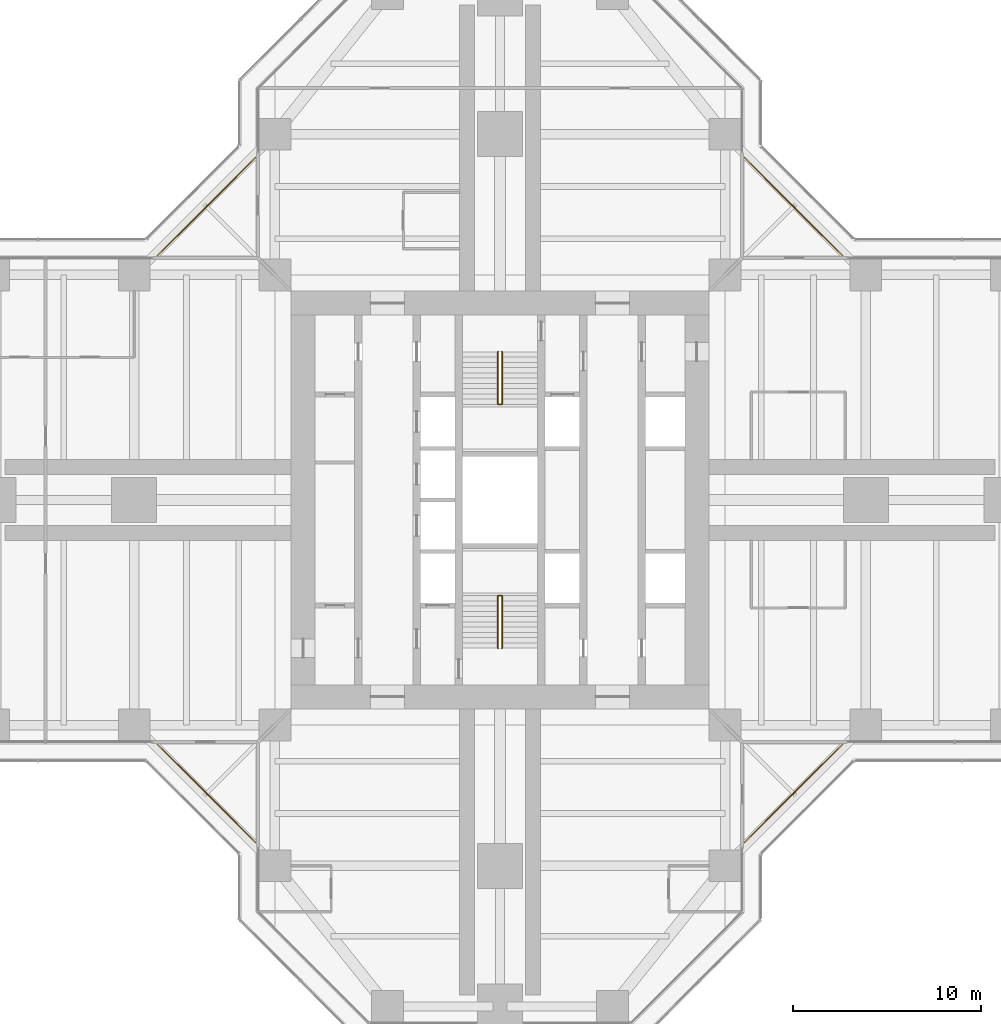
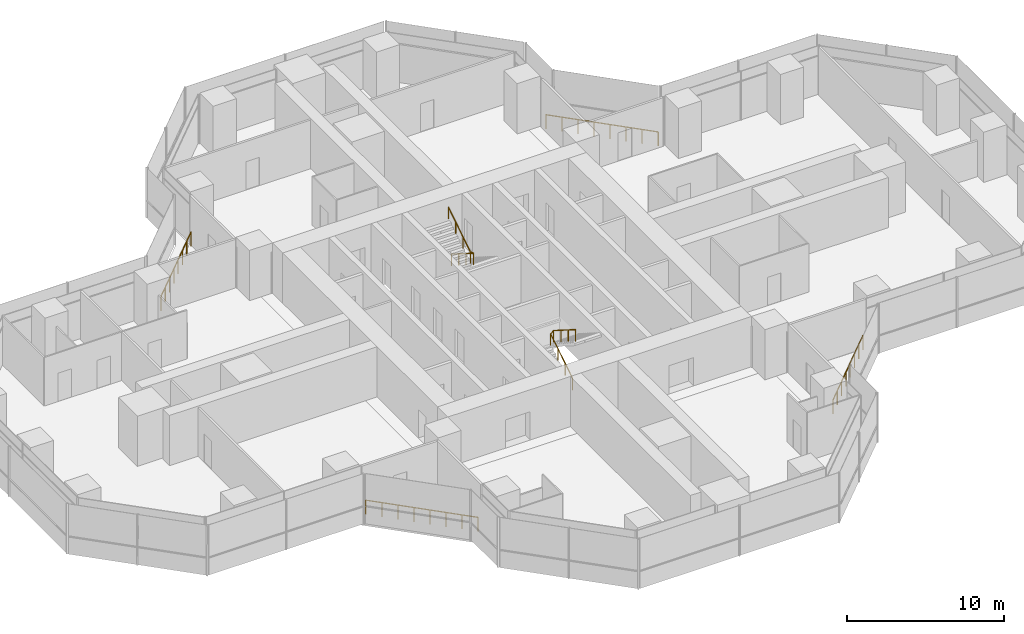
# One storey, part 19 of 19: 6 railings.
"""IFC4 building model written with IfcOpenShell, lengths in metres."""

import ifcopenshell
import ifcopenshell.guid

model = None  # the IFC model being written
_history = None  # IfcOwnerHistory: only IFC2X3 demands one
_inside = {}  # id of a spatial element -> (the spatial element, [elements in it])
_under = {}  # id of a project, library or spatial element -> (it, [spatial elements below it])
_declared = {}  # id of a project -> (the project, [libraries it declares])
_typed = {}  # id of a type object -> (the type object, [elements of that type])
_made_of = {}  # id of a material, layer set ... -> (it, [elements and type objects made of it])


def new_model(schema):
    """Start an empty IFC model of exactly this schema.

    Asked for "IFC4X3", IfcOpenShell would pick the latest addendum, in which some entities
    have other attributes; the version numbers below select the first issue.
    IFC2X3 requires an IfcOwnerHistory on every rooted entity: one is made here for all.
    """
    global model, _history
    if schema == "IFC4X3":
        model = ifcopenshell.file(schema_version=(4, 3, 0, 0))
    else:
        model = ifcopenshell.file(schema=schema)
    _inside.clear()
    _under.clear()
    _declared.clear()
    _typed.clear()
    _made_of.clear()
    _history = None
    if model.schema == "IFC2X3":
        org = make("IfcOrganization", Name="unknown")
        user = make(
            "IfcPersonAndOrganization",
            ThePerson=make("IfcPerson", FamilyName="unknown"),
            TheOrganization=org,
        )
        app = make(
            "IfcApplication",
            ApplicationDeveloper=org,
            Version="unknown",
            ApplicationFullName="unknown",
            ApplicationIdentifier="unknown",
        )
        _history = make(
            "IfcOwnerHistory",
            OwningUser=user,
            OwningApplication=app,
            ChangeAction="ADDED",
            CreationDate=0,
        )
    return model


def make(cls, **values):
    """One entity of the class cls with the attributes given. An attribute that is None is left unset."""
    return model.create_entity(
        cls, **{name: value for name, value in values.items() if value is not None}
    )


def rooted(cls, **values):
    """An entity with a GlobalId (a new one), such as an element, a storey or a relation."""
    return make(cls, GlobalId=ifcopenshell.guid.new(), OwnerHistory=_history, **values)


def si_unit(unit_type, name, prefix=None):
    """IfcSIUnit, for example si_unit("LENGTHUNIT", "METRE", prefix="MILLI")."""
    return make("IfcSIUnit", UnitType=unit_type, Prefix=prefix, Name=name)


def assignment(units):
    """IfcUnitAssignment: the units of a project."""
    return None if units is None else make("IfcUnitAssignment", Units=units)


def point(xyz):
    """IfcCartesianPoint."""
    return None if xyz is None else make("IfcCartesianPoint", Coordinates=xyz)


def direction(xyz):
    """IfcDirection."""
    return None if xyz is None else make("IfcDirection", DirectionRatios=xyz)


def frame(location, z_axis=None, x_axis=None):
    """IfcAxis2Placement3D, a coordinate frame: its origin and axes. An axis left out is left unset."""
    return make(
        "IfcAxis2Placement3D",
        Location=point(location),
        Axis=direction(z_axis),
        RefDirection=direction(x_axis),
    )


def frame_2d(location, x_axis=None):
    """IfcAxis2Placement2D, a coordinate frame in the plane: its origin and x axis."""
    return make(
        "IfcAxis2Placement2D", Location=point(location), RefDirection=direction(x_axis)
    )


def origin():
    """The frame at (0, 0, 0) with its axes left unset."""
    return frame((0.0, 0.0, 0.0))


def origin_2d():
    """The frame at (0, 0) in the plane with its x axis left unset."""
    return frame_2d((0.0, 0.0))


def place(relative_to, where):
    """IfcLocalPlacement: puts the frame where relative to a parent placement (None: the world)."""
    return make(
        "IfcLocalPlacement", PlacementRelTo=relative_to, RelativePlacement=where
    )


def context(
    kind, dimensions, precision=None, world=None, true_north=None, identifier=None
):
    """IfcGeometricRepresentationContext, for example the 3D "Model" context."""
    return make(
        "IfcGeometricRepresentationContext",
        ContextIdentifier=identifier,
        ContextType=kind,
        CoordinateSpaceDimension=dimensions,
        Precision=precision,
        WorldCoordinateSystem=world,
        TrueNorth=true_north,
    )


def subcontext(parent, identifier, kind, view, scale=None):
    """IfcGeometricRepresentationSubContext, for example "Body" below "Model"."""
    return make(
        "IfcGeometricRepresentationSubContext",
        ContextIdentifier=identifier,
        ContextType=kind,
        ParentContext=parent,
        TargetScale=scale,
        TargetView=view,
    )


def project(units=None, contexts=None):
    """IfcProject with its units and contexts."""
    return rooted(
        "IfcProject",
        Name="project",
        RepresentationContexts=contexts,
        UnitsInContext=assignment(units),
    )


def spatial(cls, under=None, at=None, **own):
    """A site, building, storey or space (cls), placed at a placement, below another one or the project."""
    s = rooted(cls, ObjectPlacement=at, **own)
    if under is not None:
        _under.setdefault(under.id(), (under, []))[1].append(s)
    return s


def profile(cls, at=None, kind="AREA", **sizes):
    """A parametric profile (cls). Its sizes go by their IFC names, for example OverallWidth=200.0."""
    return make(cls, ProfileType=kind, Position=at, **sizes)


def circle(**sizes):
    """IfcCircleProfileDef."""
    return profile("IfcCircleProfileDef", **sizes)


def extrude(swept, where, along, depth):
    """IfcExtrudedAreaSolid: the profile swept, set in the frame where, extruded along a direction by depth."""
    return make(
        "IfcExtrudedAreaSolid",
        SweptArea=swept,
        Position=where,
        ExtrudedDirection=direction(along),
        Depth=depth,
    )


def shape(context_of_items, identifier, shape_type, items):
    """IfcShapeRepresentation: the items that make up one representation, for example the "Body"."""
    return make(
        "IfcShapeRepresentation",
        ContextOfItems=context_of_items,
        RepresentationIdentifier=identifier,
        RepresentationType=shape_type,
        Items=items,
    )


def material(Name=None, Category=None):
    """IfcMaterial."""
    return make("IfcMaterial", Name=Name, Category=Category)


def made_of(thing, what):
    """Note that an element or type object is made of a material, layer set ...; save() writes the relation."""
    if what is not None:
        _made_of.setdefault(what.id(), (what, []))[1].append(thing)
    return thing


def type_object(cls, material=None, **own):
    """A type object (cls), such as IfcWallType, which elements share."""
    return made_of(rooted(cls, **own), material)


def element(
    cls,
    number,
    at=None,
    inside=None,
    cuts=None,
    type_object=None,
    material=None,
    context=None,
    identifier="Body",
    shape_type=None,
    held_by="IfcProductDefinitionShape",
    body=None,
    shapes=None,
    **own,
):
    """One element of the class cls, such as IfcWall. Its Tag is "e" and its number.

    at: its placement. inside: the storey or other place that contains it. cuts: it is an
    opening in that element (IfcRelVoidsElement). A single representation is given by context,
    identifier, shape_type and body (its items); several are given by shapes. held_by: the class
    of the entity that holds the representations. save() writes the other relations.
    """
    e = rooted(cls, Tag="e%d" % number, ObjectPlacement=at, **own)
    if body is not None:
        shapes = [shape(context, identifier, shape_type, body)]
    if shapes is not None:
        e.Representation = make(held_by, Representations=shapes)
    if inside is not None:
        _inside.setdefault(inside.id(), (inside, []))[1].append(e)
    if cuts is not None:
        rooted(
            "IfcRelVoidsElement", RelatingBuildingElement=cuts, RelatedOpeningElement=e
        )
    if type_object is not None:
        _typed.setdefault(type_object.id(), (type_object, []))[1].append(e)
    return made_of(e, material)


def aggregate(whole, parts):
    """IfcRelAggregates: a whole, such as a stair, and the parts it consists of."""
    return rooted("IfcRelAggregates", RelatingObject=whole, RelatedObjects=parts)


def save(model, path):
    """Write the relations noted so far, then the file.

    IfcRelAggregates (storeys below a building ...), IfcRelContainedInSpatialStructure (elements
    in a storey), IfcRelDefinesByType, IfcRelAssociatesMaterial and IfcRelDeclares: one each for
    every whole, place, type object, material and project.
    """
    for whole, parts in _under.values():
        aggregate(whole, parts)
    for where, things in _inside.values():
        rooted(
            "IfcRelContainedInSpatialStructure",
            RelatedElements=things,
            RelatingStructure=where,
        )
    for kind, things in _typed.values():
        rooted("IfcRelDefinesByType", RelatedObjects=things, RelatingType=kind)
    for what, things in _made_of.values():
        rooted("IfcRelAssociatesMaterial", RelatedObjects=things, RelatingMaterial=what)
    for by, libraries in _declared.values():
        rooted("IfcRelDeclares", RelatingContext=by, RelatedDefinitions=libraries)
    model.write(path)


model = new_model("IFC4")

# Units and contexts
model_context = context("Model", 3, precision=1e-05, world=origin(), true_north=direction((0.0, 1.0)))
body_context = subcontext(model_context, "Body", "Model", "MODEL_VIEW")
ifc_project = project(units=[si_unit("LENGTHUNIT", "METRE"), si_unit("AREAUNIT", "SQUARE_METRE"), si_unit("VOLUMEUNIT", "CUBIC_METRE"), si_unit("PLANEANGLEUNIT", "RADIAN"), si_unit("MASSUNIT", "GRAM", prefix="KILO")], contexts=[model_context])

# Site, building, storey
site_placement = place(None, origin())
site = spatial("IfcSite", under=ifc_project, at=site_placement, CompositionType="ELEMENT")
building_placement = place(site_placement, origin())
building = spatial("IfcBuilding", under=site, at=building_placement, Name="Mizan Broadcast Tower", CompositionType="ELEMENT")
storey_placement = place(building_placement, frame((0.0, 0.0, 159.300048828125)))
storey = spatial("IfcBuildingStorey", under=building, at=storey_placement, Name="L36", CompositionType="ELEMENT", Elevation=159.300048828125)

# Railings
ifc_material_1 = material(Name="Stainless steel and glass guard", Category="steel")
railing_type_1 = type_object("IfcRailingType", Name="GUARD 1100", PredefinedType="GUARDRAIL", material=ifc_material_1)
railing_1_placement = place(storey_placement, frame((18.2578125, 13.030029296875, 0.0)))
element("IfcRailing", 1, at=railing_1_placement, inside=storey, type_object=railing_type_1, Name="Winter garden guard L36 E", PredefinedType="GUARDRAIL", context=body_context, shape_type="SweptSolid", body=[
    extrude(circle(Radius=0.02392578125, at=origin_2d()), frame((0.0, 0.0, 1.076171875), z_axis=(-0.707106781187, 0.707106781187, 0.0), x_axis=(-0.707106781187, -0.707106781187, 0.0)), (0.0, 0.0, 1.0), 7.393310546875),
    extrude(circle(Radius=0.02099609375, at=origin_2d()), origin(), (0.0, 0.0, 1.0), 1.052001953125),
    extrude(circle(Radius=0.02099609375, at=origin_2d()), frame((-0.746826171875, 0.746826171875, 0.0)), (0.0, 0.0, 1.0), 1.052001953125),
    extrude(circle(Radius=0.02099609375, at=origin_2d()), frame((-1.49365234375, 1.49365234375, 0.0)), (0.0, 0.0, 1.0), 1.052001953125),
    extrude(circle(Radius=0.02099609375, at=origin_2d()), frame((-2.240478515625, 2.240478515625, 0.0)), (0.0, 0.0, 1.0), 1.052001953125),
    extrude(circle(Radius=0.02099609375, at=origin_2d()), frame((-2.9873046875, 2.9873046875, 0.0)), (0.0, 0.0, 1.0), 1.052001953125),
    extrude(circle(Radius=0.02099609375, at=origin_2d()), frame((-3.734130859375, 3.734130859375, 0.0)), (0.0, 0.0, 1.0), 1.052001953125),
    extrude(circle(Radius=0.02099609375, at=origin_2d()), frame((-4.48095703125, 4.48095703125, 0.0)), (0.0, 0.0, 1.0), 1.052001953125),
    extrude(circle(Radius=0.02099609375, at=origin_2d()), frame((-5.227783203125, 5.227783203125, 0.0)), (0.0, 0.0, 1.0), 1.052001953125),
])
railing_2_placement = place(storey_placement, frame((-13.030029296875, 18.2578125, 0.0)))
element("IfcRailing", 2, at=railing_2_placement, inside=storey, type_object=railing_type_1, Name="Winter garden guard L36 N", PredefinedType="GUARDRAIL", context=body_context, shape_type="SweptSolid", body=[
    extrude(circle(Radius=0.02392578125, at=origin_2d()), frame((0.0, 0.0, 1.076171875), z_axis=(-0.707106781187, -0.707106781187, 0.0), x_axis=(0.707106781187, -0.707106781187, 0.0)), (0.0, 0.0, 1.0), 7.393310546875),
    extrude(circle(Radius=0.02099609375, at=origin_2d()), origin(), (0.0, 0.0, 1.0), 1.052001953125),
    extrude(circle(Radius=0.02099609375, at=origin_2d()), frame((-0.746826171875, -0.746826171875, 0.0)), (0.0, 0.0, 1.0), 1.052001953125),
    extrude(circle(Radius=0.02099609375, at=origin_2d()), frame((-1.49365234375, -1.49365234375, 0.0)), (0.0, 0.0, 1.0), 1.052001953125),
    extrude(circle(Radius=0.02099609375, at=origin_2d()), frame((-2.240478515625, -2.240478515625, 0.0)), (0.0, 0.0, 1.0), 1.052001953125),
    extrude(circle(Radius=0.02099609375, at=origin_2d()), frame((-2.9873046875, -2.9873046875, 0.0)), (0.0, 0.0, 1.0), 1.052001953125),
    extrude(circle(Radius=0.02099609375, at=origin_2d()), frame((-3.734130859375, -3.734130859375, 0.0)), (0.0, 0.0, 1.0), 1.052001953125),
    extrude(circle(Radius=0.02099609375, at=origin_2d()), frame((-4.48095703125, -4.48095703125, 0.0)), (0.0, 0.0, 1.0), 1.052001953125),
    extrude(circle(Radius=0.02099609375, at=origin_2d()), frame((-5.227783203125, -5.227783203125, 0.0)), (0.0, 0.0, 1.0), 1.052001953125),
])
railing_3_placement = place(storey_placement, frame((-18.2578125, -13.030029296875, 0.0)))
element("IfcRailing", 3, at=railing_3_placement, inside=storey, type_object=railing_type_1, Name="Winter garden guard L36 W", PredefinedType="GUARDRAIL", context=body_context, shape_type="SweptSolid", body=[
    extrude(circle(Radius=0.02392578125, at=origin_2d()), frame((0.0, 0.0, 1.076171875), z_axis=(0.707106781187, -0.707106781187, 0.0), x_axis=(0.707106781187, 0.707106781187, 0.0)), (0.0, 0.0, 1.0), 7.393310546875),
    extrude(circle(Radius=0.02099609375, at=origin_2d()), origin(), (0.0, 0.0, 1.0), 1.052001953125),
    extrude(circle(Radius=0.02099609375, at=origin_2d()), frame((0.746826171875, -0.746826171875, 0.0)), (0.0, 0.0, 1.0), 1.052001953125),
    extrude(circle(Radius=0.02099609375, at=origin_2d()), frame((1.49365234375, -1.49365234375, 0.0)), (0.0, 0.0, 1.0), 1.052001953125),
    extrude(circle(Radius=0.02099609375, at=origin_2d()), frame((2.240478515625, -2.240478515625, 0.0)), (0.0, 0.0, 1.0), 1.052001953125),
    extrude(circle(Radius=0.02099609375, at=origin_2d()), frame((2.9873046875, -2.9873046875, 0.0)), (0.0, 0.0, 1.0), 1.052001953125),
    extrude(circle(Radius=0.02099609375, at=origin_2d()), frame((3.734130859375, -3.734130859375, 0.0)), (0.0, 0.0, 1.0), 1.052001953125),
    extrude(circle(Radius=0.02099609375, at=origin_2d()), frame((4.48095703125, -4.48095703125, 0.0)), (0.0, 0.0, 1.0), 1.052001953125),
    extrude(circle(Radius=0.02099609375, at=origin_2d()), frame((5.227783203125, -5.227783203125, 0.0)), (0.0, 0.0, 1.0), 1.052001953125),
])
railing_4_placement = place(storey_placement, frame((13.030029296875, -18.2578125, 0.0)))
element("IfcRailing", 4, at=railing_4_placement, inside=storey, type_object=railing_type_1, Name="Winter garden guard L36 S", PredefinedType="GUARDRAIL", context=body_context, shape_type="SweptSolid", body=[
    extrude(circle(Radius=0.02392578125, at=origin_2d()), frame((0.0, 0.0, 1.076171875), z_axis=(0.707106781187, 0.707106781187, 0.0), x_axis=(-0.707106781187, 0.707106781187, 0.0)), (0.0, 0.0, 1.0), 7.393310546875),
    extrude(circle(Radius=0.02099609375, at=origin_2d()), origin(), (0.0, 0.0, 1.0), 1.052001953125),
    extrude(circle(Radius=0.02099609375, at=origin_2d()), frame((0.746826171875, 0.746826171875, 0.0)), (0.0, 0.0, 1.0), 1.052001953125),
    extrude(circle(Radius=0.02099609375, at=origin_2d()), frame((1.49365234375, 1.49365234375, 0.0)), (0.0, 0.0, 1.0), 1.052001953125),
    extrude(circle(Radius=0.02099609375, at=origin_2d()), frame((2.240478515625, 2.240478515625, 0.0)), (0.0, 0.0, 1.0), 1.052001953125),
    extrude(circle(Radius=0.02099609375, at=origin_2d()), frame((2.9873046875, 2.9873046875, 0.0)), (0.0, 0.0, 1.0), 1.052001953125),
    extrude(circle(Radius=0.02099609375, at=origin_2d()), frame((3.734130859375, 3.734130859375, 0.0)), (0.0, 0.0, 1.0), 1.052001953125),
    extrude(circle(Radius=0.02099609375, at=origin_2d()), frame((4.48095703125, 4.48095703125, 0.0)), (0.0, 0.0, 1.0), 1.052001953125),
    extrude(circle(Radius=0.02099609375, at=origin_2d()), frame((5.227783203125, 5.227783203125, 0.0)), (0.0, 0.0, 1.0), 1.052001953125),
])
ifc_material_2 = material(Name="Stainless steel", Category="steel")
railing_type_2 = type_object("IfcRailingType", Name="HANDRAIL 50", PredefinedType="HANDRAIL", material=ifc_material_2)
railing_5_placement = place(storey_placement, frame((-0.110107421875, -7.89990234375, 0.17724609375)))
element("IfcRailing", 5, at=railing_5_placement, inside=storey, type_object=railing_type_2, Name="Stair A handrail", PredefinedType="HANDRAIL", context=body_context, shape_type="SweptSolid", body=[
    extrude(circle(Radius=0.02392578125, at=origin_2d()), frame((0.0, 0.0, 0.8759765625), z_axis=(0.0, 0.844887892834, 0.53494340686), x_axis=(-1.0, 0.0, 0.0)), (0.0, 0.0, 1.0), 3.313720703125),
    extrude(circle(Radius=0.02392578125, at=origin_2d()), frame((0.0, 2.7998046875, 2.6484375), z_axis=(0.779011685263, 0.0, 0.627009405212), x_axis=(0.0, 1.0, 0.0)), (0.0, 0.0, 1.0), 0.28271484375),
    extrude(circle(Radius=0.02392578125, at=origin_2d()), frame((0.22021484375, 2.7998046875, 2.82568359375), z_axis=(0.0, -0.844887892834, 0.53494340686), x_axis=(1.0, 0.0, 0.0)), (0.0, 0.0, 1.0), 3.313720703125),
    extrude(circle(Radius=0.02099609375, at=origin_2d()), origin(), (0.0, 0.0, 1.0), 0.851806640625),
    extrude(circle(Radius=0.02099609375, at=origin_2d()), frame((0.0, 0.933349609375, 0.5908203125)), (0.0, 0.0, 1.0), 0.851806640625),
    extrude(circle(Radius=0.02099609375, at=origin_2d()), frame((0.0, 1.866455078125, 1.181884765625)), (0.0, 0.0, 1.0), 0.851806640625),
    extrude(circle(Radius=0.02099609375, at=origin_2d()), frame((0.0, 2.7998046875, 1.772705078125)), (0.0, 0.0, 1.0), 0.851806640625),
    extrude(circle(Radius=0.02099609375, at=origin_2d()), frame((0.22021484375, 2.7998046875, 1.949951171875)), (0.0, 0.0, 1.0), 0.851806640625),
    extrude(circle(Radius=0.02099609375, at=origin_2d()), frame((0.22021484375, 1.866455078125, 2.540771484375)), (0.0, 0.0, 1.0), 0.851806640625),
    extrude(circle(Radius=0.02099609375, at=origin_2d()), frame((0.22021484375, 0.933349609375, 3.1318359375)), (0.0, 0.0, 1.0), 0.851806640625),
    extrude(circle(Radius=0.02099609375, at=origin_2d()), frame((0.22021484375, 0.0, 3.72265625)), (0.0, 0.0, 1.0), 0.851806640625),
])
railing_6_placement = place(storey_placement, frame((0.110107421875, 7.89990234375, 0.17724609375)))
element("IfcRailing", 6, at=railing_6_placement, inside=storey, type_object=railing_type_2, Name="Stair B handrail", PredefinedType="HANDRAIL", context=body_context, shape_type="SweptSolid", body=[
    extrude(circle(Radius=0.02392578125, at=origin_2d()), frame((0.0, 0.0, 0.8759765625), z_axis=(0.0, -0.844887892834, 0.53494340686), x_axis=(1.0, 0.0, 0.0)), (0.0, 0.0, 1.0), 3.313720703125),
    extrude(circle(Radius=0.02392578125, at=origin_2d()), frame((0.0, -2.7998046875, 2.6484375), z_axis=(-0.779011685263, 0.0, 0.627009405212), x_axis=(0.0, -1.0, 0.0)), (0.0, 0.0, 1.0), 0.28271484375),
    extrude(circle(Radius=0.02392578125, at=origin_2d()), frame((-0.22021484375, -2.7998046875, 2.82568359375), z_axis=(0.0, 0.844887892834, 0.53494340686), x_axis=(-1.0, 0.0, 0.0)), (0.0, 0.0, 1.0), 3.313720703125),
    extrude(circle(Radius=0.02099609375, at=origin_2d()), origin(), (0.0, 0.0, 1.0), 0.851806640625),
    extrude(circle(Radius=0.02099609375, at=origin_2d()), frame((0.0, -0.933349609375, 0.5908203125)), (0.0, 0.0, 1.0), 0.851806640625),
    extrude(circle(Radius=0.02099609375, at=origin_2d()), frame((0.0, -1.866455078125, 1.181884765625)), (0.0, 0.0, 1.0), 0.851806640625),
    extrude(circle(Radius=0.02099609375, at=origin_2d()), frame((0.0, -2.7998046875, 1.772705078125)), (0.0, 0.0, 1.0), 0.851806640625),
    extrude(circle(Radius=0.02099609375, at=origin_2d()), frame((-0.22021484375, -2.7998046875, 1.949951171875)), (0.0, 0.0, 1.0), 0.851806640625),
    extrude(circle(Radius=0.02099609375, at=origin_2d()), frame((-0.22021484375, -1.866455078125, 2.540771484375)), (0.0, 0.0, 1.0), 0.851806640625),
    extrude(circle(Radius=0.02099609375, at=origin_2d()), frame((-0.22021484375, -0.933349609375, 3.1318359375)), (0.0, 0.0, 1.0), 0.851806640625),
    extrude(circle(Radius=0.02099609375, at=origin_2d()), frame((-0.22021484375, 0.0, 3.72265625)), (0.0, 0.0, 1.0), 0.851806640625),
])

save(model, "model.ifc")
